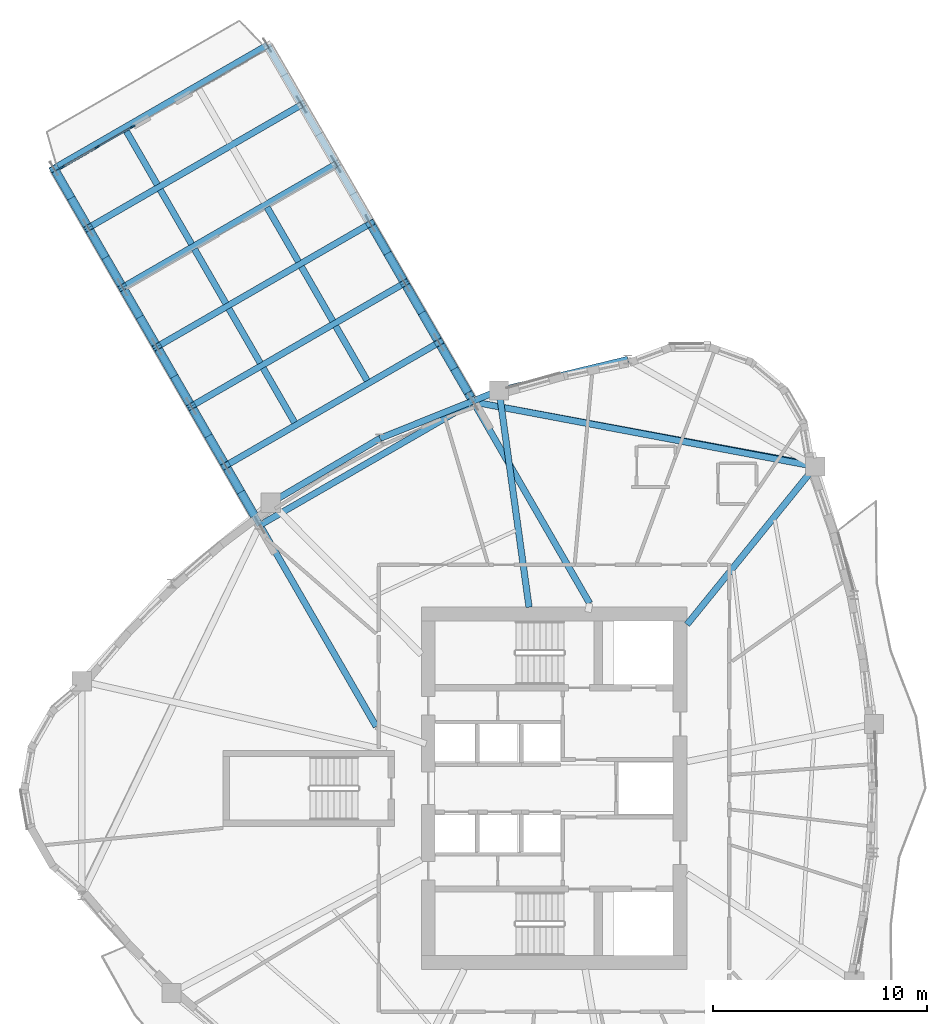
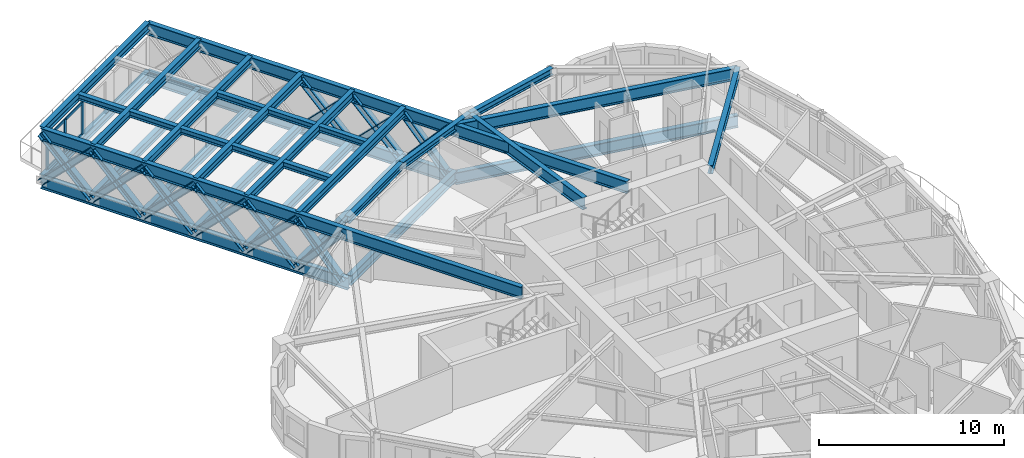
# One storey, part 2 of 16: 31 beams, 26 members, 1 element without a shape of its own.
"""IFC4 building model written with IfcOpenShell, lengths in metres."""

from ifc_helpers import new_model, si_unit, direction, frame, origin, origin_2d, place, context, subcontext, project, spatial, rectangle, i_section, extrude, source, transform, mapped, material, layer, layer_set, material_profile, profile_set, type_object, element, aggregate, save


model = new_model("IFC4")

# Units and contexts
model_context = context("Model", 3, precision=1e-05, world=origin(), true_north=direction((0.0, 1.0)))
body_context = subcontext(model_context, "Body", "Model", "MODEL_VIEW")
ifc_project = project(units=[si_unit("LENGTHUNIT", "METRE"), si_unit("AREAUNIT", "SQUARE_METRE"), si_unit("VOLUMEUNIT", "CUBIC_METRE"), si_unit("PLANEANGLEUNIT", "RADIAN"), si_unit("MASSUNIT", "GRAM", prefix="KILO")], contexts=[model_context])

# Site, building, storey
site_placement = place(None, origin())
site = spatial("IfcSite", under=ifc_project, at=site_placement, CompositionType="ELEMENT")
building_placement = place(site_placement, origin())
building = spatial("IfcBuilding", under=site, at=building_placement, Name="Qafzar Sky-Pleat Residences", CompositionType="ELEMENT")
storey_placement = place(building_placement, frame((0.0, 0.0, 80.0)))
storey = spatial("IfcBuildingStorey", under=building, at=storey_placement, Name="L23", CompositionType="ELEMENT", Elevation=80.0)

# Beams
ifc_material_1 = material(Name="Steel S355", Category="steel")
ifc_material_profile_1 = material_profile(ifc_material_1, i_section(OverallWidth=0.300048828125, OverallDepth=0.449951171875, WebThickness=0.013916015625, FlangeThickness=0.02587890625, FilletRadius=0.027099609375, at=origin_2d()), Name="HEB 450")
ifc_profile_set_1 = profile_set([ifc_material_profile_1], Name="Steel S355")
beam_type_1 = type_object("IfcBeamType", Name="BM-SPAN-HEB450", PredefinedType="SPANDREL", material=ifc_profile_set_1)
shared_shape_1 = source(origin(), body_context, "Body", "SweptSolid", [
    extrude(i_section(OverallWidth=0.300048828125, OverallDepth=0.449951171875, WebThickness=0.013916015625, FlangeThickness=0.02587890625, FilletRadius=0.027099609375, at=origin_2d()), origin(), (0.0, 0.0, 1.0), 5.914794921875),
])
beam_1_placement = place(storey_placement, frame((22.2265625, 42.331298828125, 2.7080078125), z_axis=(-0.861437212356, -0.50786408533, 0.0), x_axis=(0.50786408533, -0.861437212356, 0.0)))
element("IfcBeam", 1, at=beam_1_placement, inside=storey, type_object=beam_type_1, Name="L23 Perimeter Spandrel Beam 16", PredefinedType="SPANDREL", context=body_context, shape_type="MappedRepresentation", body=[
    mapped(shared_shape_1, transform((0.0, 0.0, 0.0), x_axis=(1.0, 0.0, 0.0), y_axis=(0.0, 1.0, 0.0), z_axis=(0.0, 0.0, 1.0), scale=1.0)),
])
shared_shape_2 = source(origin(), body_context, "Body", "SweptSolid", [
    extrude(i_section(OverallWidth=0.300048828125, OverallDepth=0.449951171875, WebThickness=0.013916015625, FlangeThickness=0.02587890625, FilletRadius=0.027099609375, at=origin_2d()), origin(), (0.0, 0.0, 1.0), 5.98291015625),
])
beam_2_placement = place(storey_placement, frame((27.778564453125, 44.560546875, 2.7080078125), z_axis=(-0.927989024901, -0.372607527653, 0.0), x_axis=(0.372607527653, -0.927989024901, 0.0)))
element("IfcBeam", 2, at=beam_2_placement, inside=storey, type_object=beam_type_1, Name="L23 Perimeter Spandrel Beam 15", PredefinedType="SPANDREL", context=body_context, shape_type="MappedRepresentation", body=[
    mapped(shared_shape_2, transform((0.0, 0.0, 0.0), x_axis=(1.0, 0.0, 0.0), y_axis=(0.0, 1.0, 0.0), z_axis=(0.0, 0.0, 1.0), scale=1.0)),
])
shared_shape_3 = source(origin(), body_context, "Body", "SweptSolid", [
    extrude(i_section(OverallWidth=0.300048828125, OverallDepth=0.449951171875, WebThickness=0.013916015625, FlangeThickness=0.02587890625, FilletRadius=0.027099609375, at=origin_2d()), origin(), (0.0, 0.0, 1.0), 6.18212890625),
])
beam_3_placement = place(storey_placement, frame((33.787109375, 46.015380859375, 2.7080078125), z_axis=(-0.971916102979, -0.235327620074, 0.0), x_axis=(0.235327620074, -0.971916102979, 0.0)))
element("IfcBeam", 3, at=beam_3_placement, inside=storey, type_object=beam_type_1, Name="L23 Perimeter Spandrel Beam 14", PredefinedType="SPANDREL", context=body_context, shape_type="MappedRepresentation", body=[
    mapped(shared_shape_3, transform((0.0, 0.0, 0.0), x_axis=(1.0, 0.0, 0.0), y_axis=(0.0, 1.0, 0.0), z_axis=(0.0, 0.0, 1.0), scale=1.0)),
])
ifc_material_profile_2 = material_profile(ifc_material_1, i_section(OverallWidth=0.300048828125, OverallDepth=0.550048828125, WebThickness=0.014892578125, FlangeThickness=0.029052734375, FilletRadius=0.027099609375, at=origin_2d()), Name="HEB 550")
ifc_profile_set_2 = profile_set([ifc_material_profile_2], Name="Steel S355")
beam_type_2 = type_object("IfcBeamType", Name="BM-GIRD-HEB550", PredefinedType="BEAM", material=ifc_profile_set_2)
shared_shape_4 = source(origin(), body_context, "Body", "SweptSolid", [
    extrude(i_section(OverallWidth=0.300048828125, OverallDepth=0.550048828125, WebThickness=0.014892578125, FlangeThickness=0.029052734375, FilletRadius=0.027099609375, at=origin_2d()), origin(), (0.0, 0.0, 1.0), 9.49658203125),
])
beam_4_placement = place(storey_placement, frame((42.532470703125, 41.01904296875, 2.657958984375), z_axis=(-0.629947833467, -0.776637448949, 0.0), x_axis=(0.776637448949, -0.629947833467, 0.0)))
element("IfcBeam", 4, at=beam_4_placement, inside=storey, type_object=beam_type_2, Name="L23 Radial Floor Girder 13", PredefinedType="BEAM", context=body_context, shape_type="MappedRepresentation", body=[
    mapped(shared_shape_4, transform((0.0, 0.0, 0.0), x_axis=(1.0, 0.0, 0.0), y_axis=(0.0, 1.0, 0.0), z_axis=(0.0, 0.0, 1.0), scale=1.0)),
])
ifc_material_2 = material(Name="Steel S460", Category="steel")
ifc_material_profile_3 = material_profile(ifc_material_2, i_section(OverallWidth=0.300048828125, OverallDepth=0.800048828125, WebThickness=0.017578125, FlangeThickness=0.032958984375, FilletRadius=0.030029296875, at=origin_2d()), Name="HEB 800")
ifc_profile_set_3 = profile_set([ifc_material_profile_3], Name="Steel S460")
beam_type_3 = type_object("IfcBeamType", Name="BM-CHORD-HEB800", PredefinedType="BEAM", material=ifc_profile_set_3)
shared_shape_5 = source(origin(), body_context, "Body", "SweptSolid", [
    extrude(i_section(OverallWidth=0.300048828125, OverallDepth=0.800048828125, WebThickness=0.017578125, FlangeThickness=0.032958984375, FilletRadius=0.030029296875, at=origin_2d()), origin(), (0.0, 0.0, 1.0), 10.20703125),
])
beam_5_placement = place(storey_placement, frame((27.778564453125, 44.560546875, 2.532958984375), z_axis=(0.137220936727, -0.990540465869, 0.0), x_axis=(0.990540465869, 0.137220936727, 0.0)))
element("IfcBeam", 5, at=beam_5_placement, inside=storey, type_object=beam_type_3, Name="L23 Radial Floor Girder 15", PredefinedType="BEAM", context=body_context, shape_type="MappedRepresentation", body=[
    mapped(shared_shape_5, transform((0.0, 0.0, 0.0), x_axis=(1.0, 0.0, 0.0), y_axis=(0.0, 1.0, 0.0), z_axis=(0.0, 0.0, 1.0), scale=1.0)),
])
shared_shape_6 = source(origin(), body_context, "Body", "SweptSolid", [
    extrude(i_section(OverallWidth=0.300048828125, OverallDepth=0.800048828125, WebThickness=0.017578125, FlangeThickness=0.032958984375, FilletRadius=0.030029296875, at=origin_2d()), origin(), (0.0, 0.0, 1.0), 30.072998046875),
])
for number, where, z_axis, x_axis, name in (
    (6, (22.04541015625, 28.884033203125, 2.532958984375), (-0.50000354778, 0.866023355463, 0.0), (-0.866023355463, -0.50000354778, 0.0), "L23 SB-2 Truss Chord L1"),
    (7, (32.004638671875, 34.634033203125, 2.532958984375), (-0.50000354778, 0.866023355463, 0.0), (-0.866023355463, -0.50000354778, 0.0), "L23 SB-2 Truss Chord R1"),
):
    element("IfcBeam", number, at=place(storey_placement, frame(where, z_axis=z_axis, x_axis=x_axis)), inside=storey, type_object=beam_type_3, Name=name, PredefinedType="BEAM", context=body_context, shape_type="MappedRepresentation", body=[
        mapped(shared_shape_6, transform((0.0, 0.0, 0.0), x_axis=(1.0, 0.0, 0.0), y_axis=(0.0, 1.0, 0.0), z_axis=(0.0, 0.0, 1.0), scale=1.0)),
    ])
shared_shape_7 = source(origin(), body_context, "Body", "SweptSolid", [
    extrude(i_section(OverallWidth=0.300048828125, OverallDepth=0.800048828125, WebThickness=0.017578125, FlangeThickness=0.032958984375, FilletRadius=0.030029296875, at=origin_2d()), origin(), (0.0, 0.0, 1.0), 19.222900390625),
])
for number, where, z_axis, x_axis, name in (
    (8, (16.620361328125, 38.280517578125, -0.6669921875), (-0.500006094748, 0.866021884952, 0.0), (-0.866021884952, -0.500006094748, 0.0), "L23 SB-2 Bottom Chord L1"),
    (9, (26.57958984375, 44.030517578125, -0.6669921875), (-0.500006094748, 0.866021884952, 0.0), (-0.866021884952, -0.500006094748, 0.0), "L23 SB-2 Bottom Chord R1"),
):
    element("IfcBeam", number, at=place(storey_placement, frame(where, z_axis=z_axis, x_axis=x_axis)), inside=storey, type_object=beam_type_3, Name=name, PredefinedType="BEAM", context=body_context, shape_type="MappedRepresentation", body=[
        mapped(shared_shape_7, transform((0.0, 0.0, 0.0), x_axis=(1.0, 0.0, 0.0), y_axis=(0.0, 1.0, 0.0), z_axis=(0.0, 0.0, 1.0), scale=1.0)),
    ])

# Members
ifc_material_profile_4 = material_profile(ifc_material_2, i_section(OverallWidth=0.300048828125, OverallDepth=0.64990234375, WebThickness=0.01611328125, FlangeThickness=0.031005859375, FilletRadius=0.027099609375, at=origin_2d()), Name="HEB 650")
ifc_profile_set_4 = profile_set([ifc_material_profile_4], Name="Steel S460")
member_type_1 = type_object("IfcMemberType", Name="MEM-SB-CHORD", PredefinedType="CHORD", material=ifc_profile_set_4)
shared_shape_8 = source(origin(), body_context, "Body", "SweptSolid", [
    extrude(i_section(OverallWidth=0.300048828125, OverallDepth=0.64990234375, WebThickness=0.01611328125, FlangeThickness=0.031005859375, FilletRadius=0.027099609375, at=origin_2d()), origin(), (0.0, 0.0, 1.0), 11.5),
])
member_1_placement = place(storey_placement, frame((16.620361328125, 38.280517578125, -0.47705078125), z_axis=(0.866024020559, 0.500002395808, 0.0), x_axis=(-0.500002395808, 0.866024020559, 0.0)))
element("IfcMember", 10, at=member_1_placement, inside=storey, type_object=member_type_1, Name="L23 SB-2 Truss Root Tie Chord", PredefinedType="CHORD", context=body_context, shape_type="MappedRepresentation", body=[
    mapped(shared_shape_8, transform((0.0, 0.0, 0.0), x_axis=(1.0, 0.0, 0.0), y_axis=(0.0, 1.0, 0.0), z_axis=(0.0, 0.0, 1.0), scale=1.0)),
])
ifc_material_profile_5 = material_profile(ifc_material_2, i_section(OverallWidth=0.40087890625, OverallDepth=0.39892578125, WebThickness=0.02294921875, FlangeThickness=0.035888671875, FilletRadius=0.014892578125, at=origin_2d()), Name="HD 400x314")
ifc_profile_set_5 = profile_set([ifc_material_profile_5], Name="Steel S460")
member_type_2 = type_object("IfcMemberType", Name="MEM-SB-DIAG", PredefinedType="BRACE", material=ifc_profile_set_5)
shared_shape_9 = source(origin(), body_context, "Body", "SweptSolid", [
    extrude(i_section(OverallWidth=0.40087890625, OverallDepth=0.39892578125, WebThickness=0.02294921875, FlangeThickness=0.035888671875, FilletRadius=0.014892578125, at=origin_2d()), origin(), (0.0, 0.0, 1.0), 4.281005859375),
])
for number, where, z_axis, x_axis, name in (
    (11, (16.4404296875, 38.59228515625, -0.6669921875), (-0.332144495251, 0.575264684683, 0.747496205229), (-0.866015446554, -0.500017246033, 0.0), "L23 SB-2 Truss Web Diagonal L1A"),
    (12, (16.4404296875, 38.59228515625, 2.532958984375), (-0.332144495251, 0.575264684683, -0.747496205229), (-0.866015446554, -0.500017246033, 0.0), "L23 SB-2 Truss Web Diagonal L1B"),
    (13, (26.399658203125, 44.34228515625, -0.6669921875), (-0.332144495251, 0.575264684683, 0.747496205229), (-0.866015446554, -0.500017246033, 0.0), "L23 SB-2 Truss Web Diagonal R1A"),
    (14, (26.399658203125, 44.34228515625, 2.532958984375), (-0.332144495251, 0.575264684683, -0.747496205229), (-0.866015446554, -0.500017246033, 0.0), "L23 SB-2 Truss Web Diagonal R1B"),
):
    element("IfcMember", number, at=place(storey_placement, frame(where, z_axis=z_axis, x_axis=x_axis)), inside=storey, type_object=member_type_2, Name=name, PredefinedType="BRACE", context=body_context, shape_type="MappedRepresentation", body=[
        mapped(shared_shape_9, transform((0.0, 0.0, 0.0), x_axis=(1.0, 0.0, 0.0), y_axis=(0.0, 1.0, 0.0), z_axis=(0.0, 0.0, 1.0), scale=1.0)),
    ])
shared_shape_10 = source(origin(), body_context, "Body", "SweptSolid", [
    extrude(i_section(OverallWidth=0.40087890625, OverallDepth=0.39892578125, WebThickness=0.02294921875, FlangeThickness=0.035888671875, FilletRadius=0.014892578125, at=origin_2d()), origin(), (0.0, 0.0, 1.0), 4.5283203125),
])
for number, where, z_axis, x_axis, name in (
    (15, (15.0185546875, 41.054931640625, -0.6669921875), (-0.353790834917, 0.612745022681, 0.706665113267), (-0.866011737025, -0.500023670775, 0.0), "L23 SB-2 Truss Web Diagonal L2A"),
    (16, (15.0185546875, 41.054931640625, 2.532958984375), (-0.353790834917, 0.612745022681, -0.706665113267), (-0.866011737025, -0.500023670775, 0.0), "L23 SB-2 Truss Web Diagonal L2B"),
    (17, (11.814697265625, 46.604248046875, -0.6669921875), (-0.353790834917, 0.612745022681, 0.706665113267), (-0.866011737025, -0.500023670775, 0.0), "L23 SB-2 Truss Web Diagonal L4A"),
    (18, (11.814697265625, 46.604248046875, 2.532958984375), (-0.353790834917, 0.612745022681, -0.706665113267), (-0.866011737025, -0.500023670775, 0.0), "L23 SB-2 Truss Web Diagonal L4B"),
    (19, (24.977783203125, 46.804931640625, -0.6669921875), (-0.353790834917, 0.612745022681, 0.706665113267), (-0.866011737025, -0.500023670775, 0.0), "L23 SB-2 Truss Web Diagonal R2A"),
    (20, (24.977783203125, 46.804931640625, 2.532958984375), (-0.353790834917, 0.612745022681, -0.706665113267), (-0.866011737025, -0.500023670775, 0.0), "L23 SB-2 Truss Web Diagonal R2B"),
):
    element("IfcMember", number, at=place(storey_placement, frame(where, z_axis=z_axis, x_axis=x_axis)), inside=storey, type_object=member_type_2, Name=name, PredefinedType="BRACE", context=body_context, shape_type="MappedRepresentation", body=[
        mapped(shared_shape_10, transform((0.0, 0.0, 0.0), x_axis=(1.0, 0.0, 0.0), y_axis=(0.0, 1.0, 0.0), z_axis=(0.0, 0.0, 1.0), scale=1.0)),
    ])
shared_shape_11 = source(origin(), body_context, "Body", "SweptSolid", [
    extrude(i_section(OverallWidth=0.40087890625, OverallDepth=0.39892578125, WebThickness=0.02294921875, FlangeThickness=0.035888671875, FilletRadius=0.014892578125, at=origin_2d()), origin(), (0.0, 0.0, 1.0), 4.528076171875),
])
for number, where, z_axis, x_axis, name in (
    (21, (13.41650390625, 43.82958984375, -0.6669921875), (-0.353743666917, 0.612756710031, 0.706678592026), (-0.866044732957, -0.499966519396, 0.0), "L23 SB-2 Truss Web Diagonal L3A"),
    (22, (13.41650390625, 43.82958984375, 2.532958984375), (-0.353743666917, 0.612756710031, -0.706678592026), (-0.866044732957, -0.499966519396, 0.0), "L23 SB-2 Truss Web Diagonal L3B"),
    (23, (10.212646484375, 49.37890625, -0.6669921875), (-0.353743666917, 0.612756710031, 0.706678592026), (-0.866044732957, -0.499966519396, 0.0), "L23 SB-2 Truss Web Diagonal L5A"),
    (24, (10.212646484375, 49.37890625, 2.532958984375), (-0.353743666917, 0.612756710031, -0.706678592026), (-0.866044732957, -0.499966519396, 0.0), "L23 SB-2 Truss Web Diagonal L5B"),
    (25, (8.61083984375, 52.153564453125, -0.6669921875), (-0.353802522888, 0.61271134869, 0.70668845893), (-0.865992683363, -0.500056669151, 0.0), "L23 SB-2 Truss Web Diagonal L6A"),
    (26, (8.61083984375, 52.153564453125, 2.532958984375), (-0.353802522888, 0.61271134869, -0.70668845893), (-0.865992683363, -0.500056669151, 0.0), "L23 SB-2 Truss Web Diagonal L6B"),
    (27, (23.375732421875, 49.57958984375, -0.6669921875), (-0.353743666917, 0.612756710031, 0.706678592026), (-0.866044732957, -0.499966519396, 0.0), "L23 SB-2 Truss Web Diagonal R3A"),
    (28, (23.375732421875, 49.57958984375, 2.532958984375), (-0.353743666917, 0.612756710031, -0.706678592026), (-0.866044732957, -0.499966519396, 0.0), "L23 SB-2 Truss Web Diagonal R3B"),
):
    element("IfcMember", number, at=place(storey_placement, frame(where, z_axis=z_axis, x_axis=x_axis)), inside=storey, type_object=member_type_2, Name=name, PredefinedType="BRACE", context=body_context, shape_type="MappedRepresentation", body=[
        mapped(shared_shape_11, transform((0.0, 0.0, 0.0), x_axis=(1.0, 0.0, 0.0), y_axis=(0.0, 1.0, 0.0), z_axis=(0.0, 0.0, 1.0), scale=1.0)),
    ])

# Beams
shared_shape_12 = source(origin(), body_context, "Body", "SweptSolid", [
    extrude(i_section(OverallWidth=0.300048828125, OverallDepth=0.800048828125, WebThickness=0.017578125, FlangeThickness=0.032958984375, FilletRadius=0.030029296875, at=origin_2d()), origin(), (0.0, 0.0, 1.0), 16.234619140625),
])
beam_6_placement = place(storey_placement, frame((42.532470703125, 41.01904296875, 2.532958984375), z_axis=(-0.982644848636, 0.185496904151, 0.0), x_axis=(-0.185496904151, -0.982644848636, 0.0)))
element("IfcBeam", 29, at=beam_6_placement, inside=storey, type_object=beam_type_3, Name="L23 SB-2 Wing-Belt Top Chord R", PredefinedType="BEAM", context=body_context, shape_type="MappedRepresentation", body=[
    mapped(shared_shape_12, transform((0.0, 0.0, 0.0), x_axis=(1.0, 0.0, 0.0), y_axis=(0.0, 1.0, 0.0), z_axis=(0.0, 0.0, 1.0), scale=1.0)),
])
shared_shape_13 = source(origin(), body_context, "Body", "SweptSolid", [
    extrude(i_section(OverallWidth=0.300048828125, OverallDepth=0.800048828125, WebThickness=0.017578125, FlangeThickness=0.032958984375, FilletRadius=0.030029296875, at=origin_2d()), origin(), (0.0, 0.0, 1.0), 16.2529296875),
])
beam_7_placement = place(storey_placement, frame((42.56005859375, 41.06689453125, -0.6669921875), z_axis=(-0.983234856156, 0.182343680012, 0.0), x_axis=(-0.182343680012, -0.983234856156, 0.0)))
element("IfcBeam", 30, at=beam_7_placement, inside=storey, type_object=beam_type_3, Name="L23 SB-2 Wing-Belt Bottom Chord R", PredefinedType="BEAM", context=body_context, shape_type="MappedRepresentation", body=[
    mapped(shared_shape_13, transform((0.0, 0.0, 0.0), x_axis=(1.0, 0.0, 0.0), y_axis=(0.0, 1.0, 0.0), z_axis=(0.0, 0.0, 1.0), scale=1.0)),
])
shared_shape_14 = source(origin(), body_context, "Body", "SweptSolid", [
    extrude(i_section(OverallWidth=0.300048828125, OverallDepth=0.550048828125, WebThickness=0.014892578125, FlangeThickness=0.029052734375, FilletRadius=0.027099609375, at=origin_2d()), origin(), (0.0, 0.0, 1.0), 11.5),
])
for number, where, z_axis, x_axis, name in (
    (31, (15.0185546875, 41.054931640625, 2.657958984375), (0.866024020559, 0.500002395808, 0.0), (-0.500002395808, 0.866024020559, 0.0), "L23 SB-2 Transverse Girder 1"),
    (32, (15.0185546875, 41.054931640625, -0.5419921875), (0.866024020559, 0.500002395808, 0.0), (-0.500002395808, 0.866024020559, 0.0), "L23 SB-2 Bottom Transverse Girder 1"),
    (33, (13.41650390625, 43.82958984375, 2.657958984375), (0.866024020559, 0.500002395808, 0.0), (-0.500002395808, 0.866024020559, 0.0), "L23 SB-2 Transverse Girder 2"),
    (34, (13.41650390625, 43.82958984375, -0.5419921875), (0.866024020559, 0.500002395808, 0.0), (-0.500002395808, 0.866024020559, 0.0), "L23 SB-2 Bottom Transverse Girder 2"),
    (35, (11.814697265625, 46.604248046875, 2.657958984375), (0.866024020559, 0.500002395808, 0.0), (-0.500002395808, 0.866024020559, 0.0), "L23 SB-2 Transverse Girder 3"),
    (36, (11.814697265625, 46.604248046875, -0.5419921875), (0.866024020559, 0.500002395808, 0.0), (-0.500002395808, 0.866024020559, 0.0), "L23 SB-2 Bottom Transverse Girder 3"),
    (37, (10.212646484375, 49.37890625, 2.657958984375), (0.866024020559, 0.500002395808, 0.0), (-0.500002395808, 0.866024020559, 0.0), "L23 SB-2 Transverse Girder 4"),
    (38, (10.212646484375, 49.37890625, -0.5419921875), (0.866024020559, 0.500002395808, 0.0), (-0.500002395808, 0.866024020559, 0.0), "L23 SB-2 Bottom Transverse Girder 4"),
    (39, (8.61083984375, 52.153564453125, 2.657958984375), (0.866024020559, 0.500002395808, 0.0), (-0.500002395808, 0.866024020559, 0.0), "L23 SB-2 Transverse Girder 5"),
    (40, (8.61083984375, 52.153564453125, -0.5419921875), (0.866024020559, 0.500002395808, 0.0), (-0.500002395808, 0.866024020559, 0.0), "L23 SB-2 Bottom Transverse Girder 5"),
    (41, (7.0087890625, 54.927978515625, 2.657958984375), (0.866024020559, 0.500002395808, 0.0), (-0.500002395808, 0.866024020559, 0.0), "L23 SB-2 Transverse Girder 6"),
    (42, (7.0087890625, 54.927978515625, -0.5419921875), (0.866024020559, 0.500002395808, 0.0), (-0.500002395808, 0.866024020559, 0.0), "L23 SB-2 Bottom Transverse Girder 6"),
):
    element("IfcBeam", number, at=place(storey_placement, frame(where, z_axis=z_axis, x_axis=x_axis)), inside=storey, type_object=beam_type_2, Name=name, PredefinedType="BEAM", context=body_context, shape_type="MappedRepresentation", body=[
        mapped(shared_shape_14, transform((0.0, 0.0, 0.0), x_axis=(1.0, 0.0, 0.0), y_axis=(0.0, 1.0, 0.0), z_axis=(0.0, 0.0, 1.0), scale=1.0)),
    ])
ifc_material_profile_6 = material_profile(ifc_material_1, i_section(OverallWidth=0.300048828125, OverallDepth=0.389892578125, WebThickness=0.010986328125, FlangeThickness=0.01904296875, FilletRadius=0.027099609375, at=origin_2d()), Name="HEA 400")
ifc_profile_set_6 = profile_set([ifc_material_profile_6], Name="Steel S355")
beam_type_4 = type_object("IfcBeamType", Name="BM-SBJ-HEA400", PredefinedType="JOIST", material=ifc_profile_set_6)
shared_shape_15 = source(origin(), body_context, "Body", "SweptSolid", [
    extrude(i_section(OverallWidth=0.300048828125, OverallDepth=0.389892578125, WebThickness=0.010986328125, FlangeThickness=0.01904296875, FilletRadius=0.027099609375, at=origin_2d()), origin(), (0.0, 0.0, 1.0), 2.933837890625),
])
for number, where, z_axis, x_axis, name in (
    (43, (21.623779296875, 45.0244140625, 2.738037109375), (-0.500032187732, 0.866006819391, 0.0), (-0.866006819391, -0.500032187732, 0.0), "L23 SB-2 Sky-Bar Secondary Deck Joist 2.1"),
    (44, (20.021728515625, 47.799072265625, 2.738037109375), (-0.500032187732, 0.866006819391, 0.0), (-0.866006819391, -0.500032187732, 0.0), "L23 SB-2 Sky-Bar Secondary Deck Joist 3.1"),
    (45, (16.635498046875, 45.843994140625, 2.738037109375), (-0.499969776107, 0.866042852854, 0.0), (-0.866042852854, -0.499969776107, 0.0), "L23 SB-2 Sky-Bar Secondary Deck Joist 3.2"),
    (46, (18.419921875, 50.57373046875, 2.738037109375), (-0.500032187732, 0.866006819391, 0.0), (-0.866006819391, -0.500032187732, 0.0), "L23 SB-2 Sky-Bar Secondary Deck Joist 4.1"),
    (47, (15.03369140625, 48.61865234375, 2.738037109375), (-0.500032187732, 0.866006819391, 0.0), (-0.866006819391, -0.500032187732, 0.0), "L23 SB-2 Sky-Bar Secondary Deck Joist 4.2"),
    (48, (13.431640625, 51.393310546875, 2.738037109375), (-0.499969776107, 0.866042852854, 0.0), (-0.866042852854, -0.499969776107, 0.0), "L23 SB-2 Sky-Bar Secondary Deck Joist 5.2"),
):
    element("IfcBeam", number, at=place(storey_placement, frame(where, z_axis=z_axis, x_axis=x_axis)), inside=storey, type_object=beam_type_4, Name=name, PredefinedType="JOIST", context=body_context, shape_type="MappedRepresentation", body=[
        mapped(shared_shape_15, transform((0.0, 0.0, 0.0), x_axis=(1.0, 0.0, 0.0), y_axis=(0.0, 1.0, 0.0), z_axis=(0.0, 0.0, 1.0), scale=1.0)),
    ])
shared_shape_16 = source(origin(), body_context, "Body", "SweptSolid", [
    extrude(i_section(OverallWidth=0.300048828125, OverallDepth=0.389892578125, WebThickness=0.010986328125, FlangeThickness=0.01904296875, FilletRadius=0.027099609375, at=origin_2d()), origin(), (0.0, 0.0, 1.0), 2.93408203125),
])
beam_8_placement = place(storey_placement, frame((18.237548828125, 43.0693359375, 2.738037109375), z_axis=(-0.499996155683, 0.86602762329, 0.0), x_axis=(-0.86602762329, -0.499996155683, 0.0)))
element("IfcBeam", 49, at=beam_8_placement, inside=storey, type_object=beam_type_4, Name="L23 SB-2 Sky-Bar Secondary Deck Joist 2.2", PredefinedType="JOIST", context=body_context, shape_type="MappedRepresentation", body=[
    mapped(shared_shape_16, transform((0.0, 0.0, 0.0), x_axis=(1.0, 0.0, 0.0), y_axis=(0.0, 1.0, 0.0), z_axis=(0.0, 0.0, 1.0), scale=1.0)),
])
shared_shape_17 = source(origin(), body_context, "Body", "SweptSolid", [
    extrude(i_section(OverallWidth=0.300048828125, OverallDepth=0.389892578125, WebThickness=0.010986328125, FlangeThickness=0.01904296875, FilletRadius=0.027099609375, at=origin_2d()), origin(), (0.0, 0.0, 1.0), 2.93359375),
])
beam_9_placement = place(storey_placement, frame((11.829833984375, 54.16796875, 2.738037109375), z_axis=(-0.500068224108, 0.865986010994, 0.0), x_axis=(-0.865986010994, -0.500068224108, 0.0)))
element("IfcBeam", 50, at=beam_9_placement, inside=storey, type_object=beam_type_4, Name="L23 SB-2 Sky-Bar Secondary Deck Joist 6.2", PredefinedType="JOIST", context=body_context, shape_type="MappedRepresentation", body=[
    mapped(shared_shape_17, transform((0.0, 0.0, 0.0), x_axis=(1.0, 0.0, 0.0), y_axis=(0.0, 1.0, 0.0), z_axis=(0.0, 0.0, 1.0), scale=1.0)),
])

# Curtain wall, members
ifc_material_3 = material(Name="Anodised bronze aluminium framing", Category="aluminium")
ifc_layer = layer(ifc_material_3, 0.239990234375)
ifc_layer_set = layer_set([ifc_layer], Name="Anodised bronze aluminium framing")
curtain_wall_type = type_object("IfcCurtainWallType", Name="CW-SYS-02", PredefinedType="NOTDEFINED", material=ifc_layer_set)
curtain_wall_placement = place(storey_placement, origin())
curtain_wall = element("IfcCurtainWall", 51, at=curtain_wall_placement, inside=storey, type_object=curtain_wall_type, Name="L23 CW-02 Curtain Wall CW-L23-SB-2-PROW-L", PredefinedType="NOTDEFINED")
ifc_material_4 = material(Name="Anodised bronze aluminium", Category="aluminium")
ifc_material_profile_7 = material_profile(ifc_material_4, rectangle(XDim=0.074951171875, YDim=0.239990234375, at=origin_2d()), Name="ALU MULLION 75x240")
ifc_profile_set_7 = profile_set([ifc_material_profile_7], Name="Anodised bronze aluminium")
member_type_3 = type_object("IfcMemberType", Name="CWM-02", PredefinedType="MULLION", material=ifc_profile_set_7)
shared_shape_18 = source(origin(), body_context, "Body", "SweptSolid", [
    extrude(rectangle(XDim=0.074951171875, YDim=0.239990234375, at=origin_2d()), origin(), (0.0, 0.0, 1.0), 2.114990234375),
])
member_2_placement = place(storey_placement, frame((7.384765625, 54.971923828125, 0.0), z_axis=(0.0, 0.0, 1.0), x_axis=(-0.49999760802, 0.86602678479, 0.0)))
member_2 = element("IfcMember", 52, at=member_2_placement, type_object=member_type_3, Name="CW-02 mullion 1", PredefinedType="MULLION", context=body_context, shape_type="MappedRepresentation", body=[
    mapped(shared_shape_18, transform((0.0, 0.0, 0.0), x_axis=(1.0, 0.0, 0.0), y_axis=(0.0, 1.0, 0.0), z_axis=(0.0, 0.0, 1.0), scale=1.0)),
])
member_3_placement = place(storey_placement, frame((9.032470703125, 55.923095703125, 0.0), z_axis=(0.0, 0.0, 1.0), x_axis=(-0.49999760802, 0.86602678479, 0.0)))
member_3 = element("IfcMember", 53, at=member_3_placement, type_object=member_type_3, Name="CW-02 mullion 2", PredefinedType="MULLION", context=body_context, shape_type="MappedRepresentation", body=[
    mapped(shared_shape_18, transform((0.0, 0.0, 0.0), x_axis=(1.0, 0.0, 0.0), y_axis=(0.0, 1.0, 0.0), z_axis=(0.0, 0.0, 1.0), scale=1.0)),
])
member_4_placement = place(storey_placement, frame((10.679931640625, 56.874267578125, 0.0), z_axis=(0.0, 0.0, 1.0), x_axis=(-0.49999760802, 0.86602678479, 0.0)))
member_4 = element("IfcMember", 54, at=member_4_placement, type_object=member_type_3, Name="CW-02 mullion 3", PredefinedType="MULLION", context=body_context, shape_type="MappedRepresentation", body=[
    mapped(shared_shape_18, transform((0.0, 0.0, 0.0), x_axis=(1.0, 0.0, 0.0), y_axis=(0.0, 1.0, 0.0), z_axis=(0.0, 0.0, 1.0), scale=1.0)),
])
ifc_material_profile_8 = material_profile(ifc_material_4, rectangle(XDim=0.074951171875, YDim=0.179931640625, at=origin_2d()), Name="ALU TRANSOM 75x180")
ifc_profile_set_8 = profile_set([ifc_material_profile_8], Name="Anodised bronze aluminium")
member_type_4 = type_object("IfcMemberType", Name="CWT-02", PredefinedType="USERDEFINED", material=ifc_profile_set_8)
shared_shape_19 = source(origin(), body_context, "Body", "SweptSolid", [
    extrude(rectangle(XDim=0.074951171875, YDim=0.179931640625, at=origin_2d()), origin(), (0.0, 0.0, 1.0), 1.82763671875),
])
member_5_placement = place(storey_placement, frame((7.417236328125, 54.990478515625, 0.03759765625), z_axis=(0.866023193876, 0.500003827654, 0.0), x_axis=(-0.500003827654, 0.866023193876, 0.0)))
member_5 = element("IfcMember", 55, at=member_5_placement, type_object=member_type_4, Name="CW-02 transom 1.1", ObjectType="TRANSOM", PredefinedType="USERDEFINED", context=body_context, shape_type="MappedRepresentation", body=[
    mapped(shared_shape_19, transform((0.0, 0.0, 0.0), x_axis=(1.0, 0.0, 0.0), y_axis=(0.0, 1.0, 0.0), z_axis=(0.0, 0.0, 1.0), scale=1.0)),
])
member_6_placement = place(storey_placement, frame((7.417236328125, 54.990478515625, 2.077392578125), z_axis=(0.866023193876, 0.500003827654, 0.0), x_axis=(-0.500003827654, 0.866023193876, 0.0)))
member_6 = element("IfcMember", 56, at=member_6_placement, type_object=member_type_4, Name="CW-02 transom 1.2", ObjectType="TRANSOM", PredefinedType="USERDEFINED", context=body_context, shape_type="MappedRepresentation", body=[
    mapped(shared_shape_19, transform((0.0, 0.0, 0.0), x_axis=(1.0, 0.0, 0.0), y_axis=(0.0, 1.0, 0.0), z_axis=(0.0, 0.0, 1.0), scale=1.0)),
])
shared_shape_20 = source(origin(), body_context, "Body", "SweptSolid", [
    extrude(rectangle(XDim=0.074951171875, YDim=0.179931640625, at=origin_2d()), origin(), (0.0, 0.0, 1.0), 1.827392578125),
])
member_7_placement = place(storey_placement, frame((9.06494140625, 55.94189453125, 0.03759765625), z_axis=(0.865989791641, 0.500061676969, 0.0), x_axis=(-0.500061676969, 0.865989791641, 0.0)))
member_7 = element("IfcMember", 57, at=member_7_placement, type_object=member_type_4, Name="CW-02 transom 2.1", ObjectType="TRANSOM", PredefinedType="USERDEFINED", context=body_context, shape_type="MappedRepresentation", body=[
    mapped(shared_shape_20, transform((0.0, 0.0, 0.0), x_axis=(1.0, 0.0, 0.0), y_axis=(0.0, 1.0, 0.0), z_axis=(0.0, 0.0, 1.0), scale=1.0)),
])
member_8_placement = place(storey_placement, frame((9.06494140625, 55.94189453125, 2.077392578125), z_axis=(0.865989791641, 0.500061676969, 0.0), x_axis=(-0.500061676969, 0.865989791641, 0.0)))
member_8 = element("IfcMember", 58, at=member_8_placement, type_object=member_type_4, Name="CW-02 transom 2.2", ObjectType="TRANSOM", PredefinedType="USERDEFINED", context=body_context, shape_type="MappedRepresentation", body=[
    mapped(shared_shape_20, transform((0.0, 0.0, 0.0), x_axis=(1.0, 0.0, 0.0), y_axis=(0.0, 1.0, 0.0), z_axis=(0.0, 0.0, 1.0), scale=1.0)),
])
aggregate(curtain_wall, [member_2, member_3, member_4, member_5, member_6, member_7, member_8])

save(model, "model.ifc")
